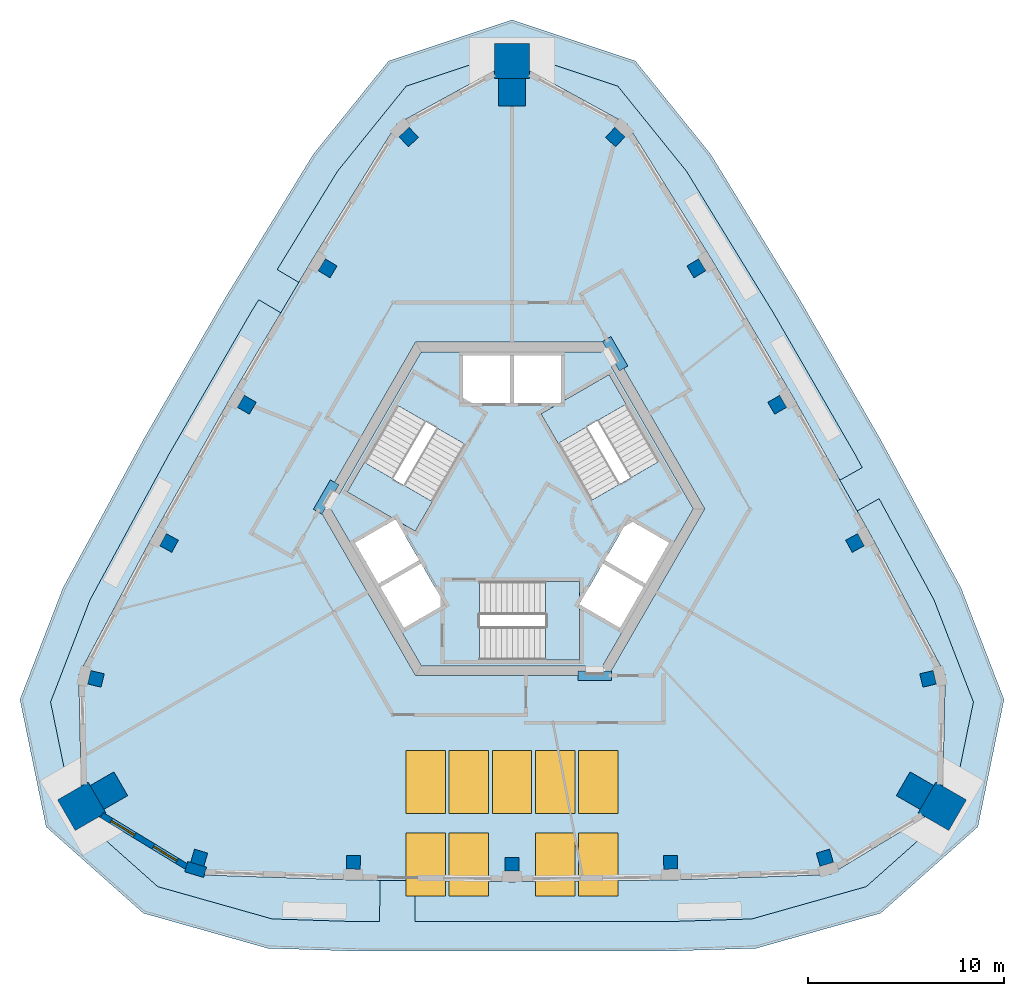
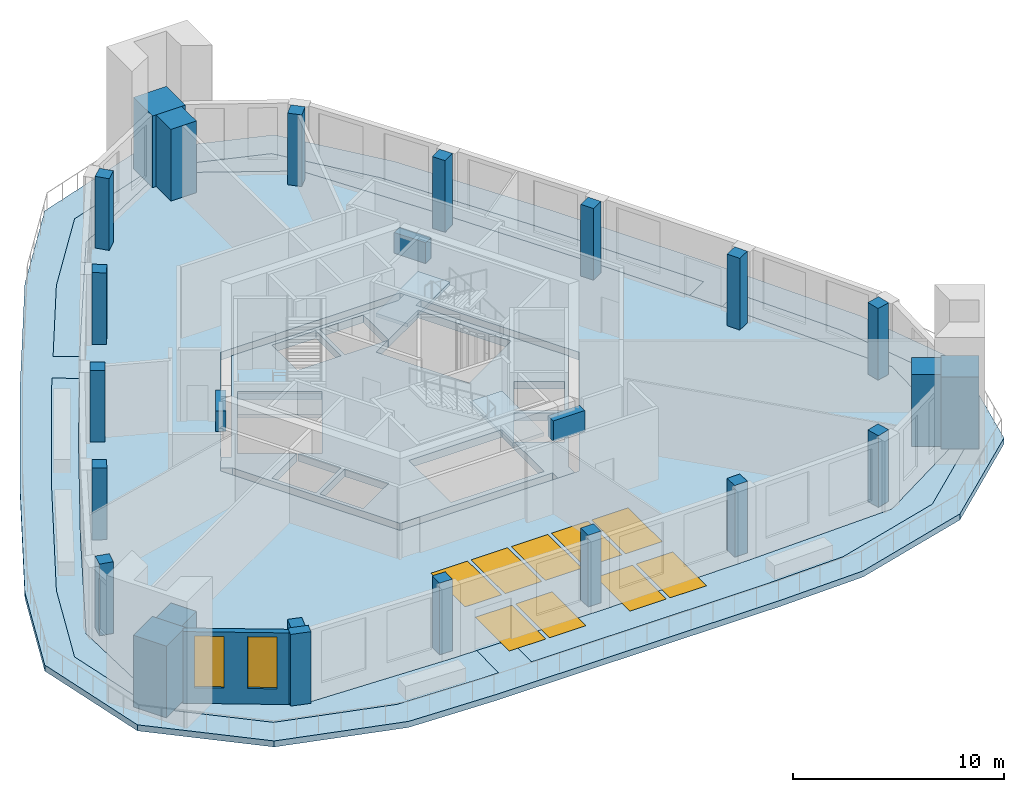
# One storey, part 1 of 9: 21 columns, 11 windows, 9 slabs, 3 beams, 2 walls, 11 openings, 3 elements without a shape of their own.
"""IFC4 building model written with IfcOpenShell, lengths in metres."""

from ifc_helpers import new_model, si_unit, direction, frame, frame_2d, origin, origin_2d, place, context, subcontext, project, spatial, polyline, rectangle, outline, extrude, material, layer, layer_set, material_profile, profile_set, type_object, element, fill, aggregate, save


model = new_model("IFC4")

# Units and contexts
model_context = context("Model", 3, precision=1e-05, world=origin(), true_north=direction((0.0, 1.0)))
body_context = subcontext(model_context, "Body", "Model", "MODEL_VIEW")
ifc_project = project(units=[si_unit("LENGTHUNIT", "METRE"), si_unit("AREAUNIT", "SQUARE_METRE"), si_unit("VOLUMEUNIT", "CUBIC_METRE"), si_unit("PLANEANGLEUNIT", "RADIAN"), si_unit("MASSUNIT", "GRAM", prefix="KILO")], contexts=[model_context])

# Site, building, storey
site_placement = place(None, origin())
site = spatial("IfcSite", under=ifc_project, at=site_placement, CompositionType="ELEMENT")
building_placement = place(site_placement, origin())
building = spatial("IfcBuilding", under=site, at=building_placement, Name="Entoto Arch Interchange Tower", CompositionType="ELEMENT")
storey_placement = place(building_placement, frame((0.0, 0.0, 331.39990234375)))
storey = spatial("IfcBuildingStorey", under=building, at=storey_placement, Name="L78", CompositionType="ELEMENT", Elevation=331.39990234375)

# Columns
ifc_material_1 = material(Name="Concrete C40/50", Category="concrete")
ifc_material_profile_1 = material_profile(ifc_material_1, rectangle(XDim=0.699951171875, YDim=0.699951171875, at=origin_2d()))
ifc_profile_set_1 = profile_set([ifc_material_profile_1], Name="Concrete C40/50")
column_type_1 = type_object("IfcColumnType", Name="Column RC 700x700 C40/50", PredefinedType="COLUMN", material=ifc_profile_set_1)
for number, where, z_axis, x_axis, name in (
    (1, (-15.93603515625, -15.27392578125, 0.0), (0.0, 0.0, 1.0), (-0.958287663895, 0.285805446462, 0.0), "Column S01 L78"),
    (2, (-8.076904296875, -15.509033203125, 0.0), (0.0, 0.0, 1.0), (-0.999748123039, 0.022443049695, 0.0), "Column S02 L78"),
    (3, (0.0, -15.60009765625, 0.0), (0.0, 0.0, 1.0), (1.0, 0.0, 0.0), "Column S03 L78"),
    (4, (8.076904296875, -15.509033203125, 0.0), (0.0, 0.0, 1.0), (0.999748123039, 0.022443049695, 0.0), "Column S04 L78"),
    (5, (15.93603515625, -15.27392578125, 0.0), (0.0, 0.0, 1.0), (0.958287663895, 0.285805446462, 0.0), "Column S05 L78"),
    (6, (21.195068359375, -6.1640625, 0.0), (0.0, 0.0, 1.0), (-0.2316120761, 0.972808226839, 0.0), "Column NE01 L78"),
    (7, (17.470947265625, 0.759033203125, 0.0), (0.0, 0.0, 1.0), (-0.480437810345, 0.877028796785, 0.0), "Column NE02 L78"),
    (8, (13.510009765625, 7.800048828125, 0.0), (0.0, 0.0, 1.0), (-0.5, 0.866025403784, 0.0), "Column NE03 L78"),
    (9, (9.39208984375, 14.7509765625, 0.0), (0.0, 0.0, 1.0), (-0.519310312694, 0.85458574709, 0.0), "Column NE04 L78"),
    (10, (5.260009765625, 21.43798828125, 0.0), (0.0, 0.0, 1.0), (-0.726658609123, 0.686998737835, 0.0), "Column NE05 L78"),
    (11, (-5.260009765625, 21.43798828125, 0.0), (0.0, 0.0, 1.0), (0.726658609123, 0.686998737835, 0.0), "Column NW01 L78"),
    (12, (-9.39208984375, 14.7509765625, 0.0), (0.0, 0.0, 1.0), (0.519310312694, 0.85458574709, 0.0), "Column NW02 L78"),
    (13, (-13.510009765625, 7.800048828125, 0.0), (0.0, 0.0, 1.0), (0.5, 0.866025403784, 0.0), "Column NW03 L78"),
    (14, (-17.470947265625, 0.759033203125, 0.0), (0.0, 0.0, 1.0), (0.480437810345, 0.877028796785, 0.0), "Column NW04 L78"),
    (15, (-21.195068359375, -6.1640625, 0.0), (0.0, 0.0, 1.0), (0.2316120761, 0.972808226839, 0.0), "Column NW05 L78"),
):
    element("IfcColumn", number, at=place(storey_placement, frame(where, z_axis=z_axis, x_axis=x_axis)), inside=storey, type_object=column_type_1, Name=name, PredefinedType="COLUMN", context=body_context, shape_type="SweptSolid", body=[
        extrude(rectangle(XDim=0.699951171875, YDim=0.699951171875, at=origin_2d()), origin(), (0.0, 0.0, 1.0), 4.150146484375),
    ])
ifc_material_2 = material(Name="Precast concrete C40/50", Category="concrete")
ifc_material_profile_2 = material_profile(ifc_material_2, rectangle(XDim=1.800048828125, YDim=1.800048828125, at=origin_2d()))
ifc_profile_set_2 = profile_set([ifc_material_profile_2], Name="Precast concrete C40/50")
column_type_2 = type_object("IfcColumnType", Name="Frame post RC 1800x1800 precast C40/50", PredefinedType="COLUMN", material=ifc_profile_set_2)
for number, where, z_axis, x_axis, name in (
    (16, (21.9208984375, -12.656005859375, 0.0), (0.0, 0.0, 1.0), (-0.866025403784, 0.5, 0.0), "Frame post SE L78"),
    (17, (0.0, 25.31201171875, 0.0), (0.0, 0.0, 1.0), (0.0, 1.0, 0.0), "Frame post N L78"),
    (18, (-21.9208984375, -12.656005859375, 0.0), (0.0, 0.0, 1.0), (0.866025403784, 0.5, 0.0), "Frame post SW L78"),
):
    element("IfcColumn", number, at=place(storey_placement, frame(where, z_axis=z_axis, x_axis=x_axis)), inside=storey, type_object=column_type_2, Name=name, PredefinedType="COLUMN", context=body_context, shape_type="SweptSolid", body=[
        extrude(rectangle(XDim=1.800048828125, YDim=1.800048828125, at=origin_2d()), origin(), (0.0, 0.0, 1.0), 4.150146484375),
    ])
ifc_material_profile_3 = material_profile(ifc_material_1, rectangle(XDim=1.39990234375, YDim=1.39990234375, at=origin_2d()))
ifc_profile_set_3 = profile_set([ifc_material_profile_3], Name="Concrete C40/50")
column_type_3 = type_object("IfcColumnType", Name="Mega column RC 1400x1400 C40/50", PredefinedType="COLUMN", material=ifc_profile_set_3)
for number, where, z_axis, x_axis, name in (
    (19, (20.534912109375, -11.85595703125, 0.0), (0.0, 0.0, 1.0), (-0.866025403784, 0.5, 0.0), "Corner mega column SE1 L78"),
    (20, (0.0, 23.7119140625, 0.0), (0.0, 0.0, 1.0), (0.0, 1.0, 0.0), "Corner mega column N1 L78"),
    (21, (-20.534912109375, -11.85595703125, 0.0), (0.0, 0.0, 1.0), (0.866025403784, 0.5, 0.0), "Corner mega column SW1 L78"),
):
    element("IfcColumn", number, at=place(storey_placement, frame(where, z_axis=z_axis, x_axis=x_axis)), inside=storey, type_object=column_type_3, Name=name, PredefinedType="COLUMN", context=body_context, shape_type="SweptSolid", body=[
        extrude(rectangle(XDim=1.39990234375, YDim=1.39990234375, at=origin_2d()), origin(), (0.0, 0.0, 1.0), 4.150146484375),
    ])

# Beams
ifc_material_profile_4 = material_profile(ifc_material_1, rectangle(XDim=0.5, YDim=1.199951171875, at=origin_2d()))
ifc_profile_set_4 = profile_set([ifc_material_profile_4], Name="Concrete C40/50")
beam_type = type_object("IfcBeamType", Name="Coupling beam RC 500x1200 C40/50", PredefinedType="BEAM", material=ifc_profile_set_4)
for number, where, z_axis, x_axis, name in (
    (22, (5.68603515625, 9.65087890625, 3.0), (-0.500105721196, 0.865964357019, 0.0), (-0.865964357019, -0.500105721196, 0.0), "Coupling beam NE L78"),
    (23, (-9.035888671875, 3.84912109375, 3.0), (-0.500105721196, -0.865964357019, 0.0), (0.865964357019, -0.500105721196, 0.0), "Coupling beam NW L78"),
):
    element("IfcBeam", number, at=place(storey_placement, frame(where, z_axis=z_axis, x_axis=x_axis)), inside=storey, type_object=beam_type, Name=name, PredefinedType="BEAM", context=body_context, shape_type="SweptSolid", body=[
        extrude(rectangle(XDim=0.5, YDim=1.199951171875, at=origin_2d()), origin(), (0.0, 0.0, 1.0), 1.727783203125),
    ])
beam_placement = place(storey_placement, frame((3.35009765625, -6.0, 3.0), z_axis=(1.0, 0.0, 0.0), x_axis=(0.0, 1.0, 0.0)))
element("IfcBeam", 24, at=beam_placement, inside=storey, type_object=beam_type, Name="Coupling beam S L78", PredefinedType="BEAM", context=body_context, shape_type="SweptSolid", body=[
    extrude(rectangle(XDim=0.5, YDim=1.199951171875, at=origin_2d()), origin(), (0.0, 0.0, 1.0), 1.725830078125),
])

# Slab
ifc_layer_1 = layer(ifc_material_1, 0.449951171875)
ifc_layer_set_1 = layer_set([ifc_layer_1], Name="Concrete C40/50")
slab_type_1 = type_object("IfcSlabType", Name="Core floor slab 450 C40/50", PredefinedType="FLOOR", material=ifc_layer_set_1)
slab_1_placement = place(storey_placement, frame((0.0, 0.0, -0.449951171875)))
element("IfcSlab", 25, at=slab_1_placement, inside=storey, type_object=slab_type_1, Name="Core floor slab L78", PredefinedType="FLOOR", context=body_context, shape_type="SweptSolid", body=[
    extrude(outline(polyline([(-9.208984375, 2.449951171875), (-9.222900390625, 2.425048828125), (-9.699951171875, 2.699951171875), (-9.236083984375, 3.501953125), (-8.802978515625, 3.2529296875), (-4.618896484375, 10.5), (4.56103515625, 10.5), (4.5458984375, 10.52490234375), (5.02197265625, 10.800048828125), (5.486083984375, 9.998046875), (5.052978515625, 9.748046875), (9.238037109375, 2.5), (4.64794921875, -5.449951171875), (4.676025390625, -5.449951171875), (4.676025390625, -6.0), (3.75, -6.0), (3.75, -5.5), (-4.618896484375, -5.5), (-9.208984375, 2.449951171875)]), holes=[polyline([(-1.64990234375, -5.199951171875), (3.449951171875, -5.199951171875), (3.449951171875, -2.3779296875), (5.5048828125, -3.56494140625), (6.705078125, -1.487060546875), (4.626953125, -0.287109375), (3.449951171875, -2.324951171875), (3.449951171875, -1.199951171875), (-1.64990234375, -1.199951171875), (-1.64990234375, -5.199951171875)]), polyline([(-4.626953125, -0.287109375), (-6.705078125, -1.487060546875), (-5.5048828125, -3.56494140625), (-3.427001953125, -2.364990234375), (-4.626953125, -0.287109375)]), polyline([(-5.904052734375, 1.925048828125), (-4.928955078125, 1.362060546875), (-2.37890625, 5.779052734375), (-5.843017578125, 7.779052734375), (-8.39306640625, 3.362060546875), (-5.949951171875, 1.951904296875), (-8.0048828125, 0.764892578125), (-6.804931640625, -1.31298828125), (-4.72705078125, -0.113037109375), (-5.904052734375, 1.925048828125)]), polyline([(4.72705078125, -0.113037109375), (6.804931640625, -1.31298828125), (8.0048828125, 0.764892578125), (5.927001953125, 1.965087890625), (4.72705078125, -0.113037109375)]), polyline([(2.5, 7.927001953125), (2.5, 10.300048828125), (0.10009765625, 10.300048828125), (0.10009765625, 7.89990234375), (2.452880859375, 7.89990234375), (1.47900390625, 7.337890625), (4.029052734375, 2.9208984375), (7.492919921875, 4.9208984375), (4.943115234375, 9.337890625), (2.5, 7.927001953125)]), polyline([(-2.5, 7.89990234375), (-0.10009765625, 7.89990234375), (-0.10009765625, 10.300048828125), (-2.5, 10.300048828125), (-2.5, 7.89990234375)])]), origin(), (0.0, 0.0, 1.0), 0.449951171875),
])

# Stair, slab
stair_type = type_object("IfcStairType", Name="EXIT STAIR RC 1700", PredefinedType="HALF_TURN_STAIR", material=ifc_material_1)
stair_1_placement = place(storey_placement, origin())
stair_1 = element("IfcStair", 26, at=stair_1_placement, inside=storey, type_object=stair_type, Name="L78 Exit stair S", PredefinedType="HALF_TURN_STAIR")
ifc_layer_2 = layer(ifc_material_1, 0.199951171875)
ifc_layer_set_2 = layer_set([ifc_layer_2], Name="Concrete C40/50")
slab_type_2 = type_object("IfcSlabType", Name="EXIT STAIR LANDING RC 200", PredefinedType="LANDING", material=ifc_layer_set_2)
slab_2_placement = place(storey_placement, frame((0.0, 0.0, 2.050048828125)))
slab_2 = element("IfcSlab", 27, at=slab_2_placement, type_object=slab_type_2, Name="ST-S landing 1", PredefinedType="LANDING", context=body_context, shape_type="SweptSolid", body=[
    extrude(outline(polyline([(1.7099609375, -5.199951171875), (3.449951171875, -5.199951171875), (3.449951171875, -1.199951171875), (1.7099609375, -1.199951171875), (1.7099609375, -5.199951171875)])), origin(), (0.0, 0.0, 1.0), 0.199951171875),
])
aggregate(stair_1, [slab_2])

stair_2_placement = place(storey_placement, origin())
stair_2 = element("IfcStair", 28, at=stair_2_placement, inside=storey, type_object=stair_type, Name="L78 Exit stair NE", PredefinedType="HALF_TURN_STAIR")
slab_3_placement = place(storey_placement, frame((0.0, 0.0, 2.050048828125)))
slab_3 = element("IfcSlab", 29, at=slab_3_placement, type_object=slab_type_2, Name="ST-NE landing 1", PredefinedType="LANDING", context=body_context, shape_type="SweptSolid", body=[
    extrude(outline(polyline([(5.8134765625, 7.830810546875), (4.943359375, 9.337890625), (1.479248046875, 7.337890625), (2.349365234375, 5.830810546875), (5.8134765625, 7.830810546875)])), origin(), (0.0, 0.0, 1.0), 0.199951171875),
])
aggregate(stair_2, [slab_3])

stair_3_placement = place(storey_placement, origin())
stair_3 = element("IfcStair", 30, at=stair_3_placement, inside=storey, type_object=stair_type, Name="L78 Exit stair NW", PredefinedType="HALF_TURN_STAIR")
slab_4_placement = place(storey_placement, frame((0.0, 0.0, 2.050048828125)))
slab_4 = element("IfcSlab", 31, at=slab_4_placement, type_object=slab_type_2, Name="ST-NW landing 1", PredefinedType="LANDING", context=body_context, shape_type="SweptSolid", body=[
    extrude(outline(polyline([(-7.5234375, 4.869140625), (-8.393310546875, 3.3623046875), (-4.92919921875, 1.3623046875), (-4.059326171875, 2.869140625), (-7.5234375, 4.869140625)])), origin(), (0.0, 0.0, 1.0), 0.199951171875),
])
aggregate(stair_3, [slab_4])

# Slab, openings, windows
ifc_layer_3 = layer(ifc_material_1, 0.449951171875)
ifc_layer_set_3 = layer_set([ifc_layer_3], Name="Concrete C40/50")
slab_type_3 = type_object("IfcSlabType", Name="Post-tensioned flat plate 450 C40/50", PredefinedType="FLOOR", material=ifc_layer_set_3)
slab_5_placement = place(storey_placement, frame((0.0, 0.0, -0.449951171875)))
slab_5 = element("IfcSlab", 32, at=slab_5_placement, inside=storey, type_object=slab_type_3, Name="Floor slab L78", PredefinedType="FLOOR", context=body_context, shape_type="SweptSolid", body=[
    extrude(outline(polyline([(-16.193115234375, -16.135986328125), (-8.096923828125, -16.408935546875), (0.0, -16.5), (8.096923828125, -16.408935546875), (16.193115234375, -16.135986328125), (21.9208984375, -12.656005859375), (22.071044921875, -5.9560546875), (18.260009765625, 1.19091796875), (14.2890625, 8.25), (10.160888671875, 15.218017578125), (5.8779296875, 22.092041015625), (0.0, 25.31201171875), (-5.8779296875, 22.092041015625), (-10.160888671875, 15.218017578125), (-14.2890625, 8.25), (-18.260009765625, 1.19091796875), (-22.071044921875, -5.9560546875), (-21.9208984375, -12.656005859375), (-16.193115234375, -16.135986328125)]), holes=[polyline([(4.906982421875, 11.0), (-4.906982421875, 11.0), (-9.81494140625, 2.5), (-4.906982421875, -6.0), (4.906982421875, -6.0), (9.81494140625, 2.5), (4.906982421875, 11.0)])]), origin(), (0.0, 0.0, 1.0), 0.449951171875),
])
opening_1_placement = place(slab_5_placement, frame((-4.39990234375, -15.625, 0.0)))
opening_1 = element("IfcOpeningElement", 33, at=opening_1_placement, cuts=slab_5, Name="Opening RS1", PredefinedType="OPENING", context=body_context, shape_type="SweptSolid", body=[
    extrude(rectangle(XDim=2.0, YDim=3.217041015625, at=origin_2d()), frame((0.0, 0.0, -0.010009765625)), (0.0, 0.0, 1.0), 0.469970703125),
])
opening_2_placement = place(slab_5_placement, frame((-2.199951171875, -15.625, 0.0)))
opening_2 = element("IfcOpeningElement", 34, at=opening_2_placement, cuts=slab_5, Name="Opening RS1", PredefinedType="OPENING", context=body_context, shape_type="SweptSolid", body=[
    extrude(rectangle(XDim=2.0, YDim=3.217041015625, at=origin_2d()), frame((0.0, 0.0, -0.010009765625)), (0.0, 0.0, 1.0), 0.469970703125),
])
opening_3_placement = place(slab_5_placement, frame((2.199951171875, -15.625, 0.0)))
opening_3 = element("IfcOpeningElement", 35, at=opening_3_placement, cuts=slab_5, Name="Opening RS1", PredefinedType="OPENING", context=body_context, shape_type="SweptSolid", body=[
    extrude(rectangle(XDim=2.0, YDim=3.217041015625, at=origin_2d()), frame((0.0, 0.0, -0.010009765625)), (0.0, 0.0, 1.0), 0.469970703125),
])
opening_4_placement = place(slab_5_placement, frame((4.39990234375, -15.625, 0.0)))
opening_4 = element("IfcOpeningElement", 36, at=opening_4_placement, cuts=slab_5, Name="Opening RS1", PredefinedType="OPENING", context=body_context, shape_type="SweptSolid", body=[
    extrude(rectangle(XDim=2.0, YDim=3.217041015625, at=origin_2d()), frame((0.0, 0.0, -0.010009765625)), (0.0, 0.0, 1.0), 0.469970703125),
])
opening_5_placement = place(slab_5_placement, frame((-4.39990234375, -11.408935546875, 0.0)))
opening_5 = element("IfcOpeningElement", 37, at=opening_5_placement, cuts=slab_5, Name="Opening RS1", PredefinedType="OPENING", context=body_context, shape_type="SweptSolid", body=[
    extrude(rectangle(XDim=2.0, YDim=3.217041015625, at=origin_2d()), frame((0.0, 0.0, -0.010009765625)), (0.0, 0.0, 1.0), 0.469970703125),
])
opening_6_placement = place(slab_5_placement, frame((-2.199951171875, -11.408935546875, 0.0)))
opening_6 = element("IfcOpeningElement", 38, at=opening_6_placement, cuts=slab_5, Name="Opening RS1", PredefinedType="OPENING", context=body_context, shape_type="SweptSolid", body=[
    extrude(rectangle(XDim=2.0, YDim=3.217041015625, at=origin_2d()), frame((0.0, 0.0, -0.010009765625)), (0.0, 0.0, 1.0), 0.469970703125),
])
opening_7_placement = place(slab_5_placement, frame((0.0, -11.408935546875, 0.0)))
opening_7 = element("IfcOpeningElement", 39, at=opening_7_placement, cuts=slab_5, Name="Opening RS1", PredefinedType="OPENING", context=body_context, shape_type="SweptSolid", body=[
    extrude(rectangle(XDim=2.0, YDim=3.217041015625, at=origin_2d()), frame((0.0, 0.0, -0.010009765625)), (0.0, 0.0, 1.0), 0.469970703125),
])
opening_8_placement = place(slab_5_placement, frame((2.199951171875, -11.408935546875, 0.0)))
opening_8 = element("IfcOpeningElement", 40, at=opening_8_placement, cuts=slab_5, Name="Opening RS1", PredefinedType="OPENING", context=body_context, shape_type="SweptSolid", body=[
    extrude(rectangle(XDim=2.0, YDim=3.217041015625, at=origin_2d()), frame((0.0, 0.0, -0.010009765625)), (0.0, 0.0, 1.0), 0.469970703125),
])
opening_9_placement = place(slab_5_placement, frame((4.39990234375, -11.408935546875, 0.0)))
opening_9 = element("IfcOpeningElement", 41, at=opening_9_placement, cuts=slab_5, Name="Opening RS1", PredefinedType="OPENING", context=body_context, shape_type="SweptSolid", body=[
    extrude(rectangle(XDim=2.0, YDim=3.217041015625, at=origin_2d()), frame((0.0, 0.0, -0.010009765625)), (0.0, 0.0, 1.0), 0.469970703125),
])
ifc_material_3 = material(Name="Clear glass, low-e double glazed", Category="glass")
window_type_1 = type_object("IfcWindowType", Name="ROOFLIGHT 2000 SKYLIGHT", PartitioningType="SINGLE_PANEL", PredefinedType="SKYLIGHT", material=ifc_material_3)
window_1_placement = place(opening_1_placement, frame((0.0, 0.0, 0.39990234375)))
window_1 = element("IfcWindow", 42, at=window_1_placement, inside=storey, type_object=window_type_1, Name="Rooflight RS1", OverallHeight=3.217041015625, OverallWidth=2.0, PartitioningType="SINGLE_PANEL", PredefinedType="SKYLIGHT", context=body_context, shape_type="SweptSolid", body=[
    extrude(rectangle(XDim=2.0, YDim=3.217041015625, at=origin_2d()), origin(), (0.0, 0.0, 1.0), 0.050048828125),
])
fill(opening_1, window_1)
window_2_placement = place(opening_2_placement, frame((0.0, 0.0, 0.39990234375)))
window_2 = element("IfcWindow", 43, at=window_2_placement, inside=storey, type_object=window_type_1, Name="Rooflight RS2", OverallHeight=3.217041015625, OverallWidth=2.0, PartitioningType="SINGLE_PANEL", PredefinedType="SKYLIGHT", context=body_context, shape_type="SweptSolid", body=[
    extrude(rectangle(XDim=2.0, YDim=3.217041015625, at=origin_2d()), origin(), (0.0, 0.0, 1.0), 0.050048828125),
])
fill(opening_2, window_2)
window_3_placement = place(opening_3_placement, frame((0.0, 0.0, 0.39990234375)))
window_3 = element("IfcWindow", 44, at=window_3_placement, inside=storey, type_object=window_type_1, Name="Rooflight RS4", OverallHeight=3.217041015625, OverallWidth=2.0, PartitioningType="SINGLE_PANEL", PredefinedType="SKYLIGHT", context=body_context, shape_type="SweptSolid", body=[
    extrude(rectangle(XDim=2.0, YDim=3.217041015625, at=origin_2d()), origin(), (0.0, 0.0, 1.0), 0.050048828125),
])
fill(opening_3, window_3)
window_4_placement = place(opening_4_placement, frame((0.0, 0.0, 0.39990234375)))
window_4 = element("IfcWindow", 45, at=window_4_placement, inside=storey, type_object=window_type_1, Name="Rooflight RS5", OverallHeight=3.217041015625, OverallWidth=2.0, PartitioningType="SINGLE_PANEL", PredefinedType="SKYLIGHT", context=body_context, shape_type="SweptSolid", body=[
    extrude(rectangle(XDim=2.0, YDim=3.217041015625, at=origin_2d()), origin(), (0.0, 0.0, 1.0), 0.050048828125),
])
fill(opening_4, window_4)
window_5_placement = place(opening_5_placement, frame((0.0, 0.0, 0.39990234375)))
window_5 = element("IfcWindow", 46, at=window_5_placement, inside=storey, type_object=window_type_1, Name="Rooflight RS6", OverallHeight=3.217041015625, OverallWidth=2.0, PartitioningType="SINGLE_PANEL", PredefinedType="SKYLIGHT", context=body_context, shape_type="SweptSolid", body=[
    extrude(rectangle(XDim=2.0, YDim=3.217041015625, at=origin_2d()), origin(), (0.0, 0.0, 1.0), 0.050048828125),
])
fill(opening_5, window_5)
window_6_placement = place(opening_6_placement, frame((0.0, 0.0, 0.39990234375)))
window_6 = element("IfcWindow", 47, at=window_6_placement, inside=storey, type_object=window_type_1, Name="Rooflight RS7", OverallHeight=3.217041015625, OverallWidth=2.0, PartitioningType="SINGLE_PANEL", PredefinedType="SKYLIGHT", context=body_context, shape_type="SweptSolid", body=[
    extrude(rectangle(XDim=2.0, YDim=3.217041015625, at=origin_2d()), origin(), (0.0, 0.0, 1.0), 0.050048828125),
])
fill(opening_6, window_6)
window_7_placement = place(opening_7_placement, frame((0.0, 0.0, 0.39990234375)))
window_7 = element("IfcWindow", 48, at=window_7_placement, inside=storey, type_object=window_type_1, Name="Rooflight RS8", OverallHeight=3.217041015625, OverallWidth=2.0, PartitioningType="SINGLE_PANEL", PredefinedType="SKYLIGHT", context=body_context, shape_type="SweptSolid", body=[
    extrude(rectangle(XDim=2.0, YDim=3.217041015625, at=origin_2d()), origin(), (0.0, 0.0, 1.0), 0.050048828125),
])
fill(opening_7, window_7)
window_8_placement = place(opening_8_placement, frame((0.0, 0.0, 0.39990234375)))
window_8 = element("IfcWindow", 49, at=window_8_placement, inside=storey, type_object=window_type_1, Name="Rooflight RS9", OverallHeight=3.217041015625, OverallWidth=2.0, PartitioningType="SINGLE_PANEL", PredefinedType="SKYLIGHT", context=body_context, shape_type="SweptSolid", body=[
    extrude(rectangle(XDim=2.0, YDim=3.217041015625, at=origin_2d()), origin(), (0.0, 0.0, 1.0), 0.050048828125),
])
fill(opening_8, window_8)
window_9_placement = place(opening_9_placement, frame((0.0, 0.0, 0.39990234375)))
window_9 = element("IfcWindow", 50, at=window_9_placement, inside=storey, type_object=window_type_1, Name="Rooflight RS10", OverallHeight=3.217041015625, OverallWidth=2.0, PartitioningType="SINGLE_PANEL", PredefinedType="SKYLIGHT", context=body_context, shape_type="SweptSolid", body=[
    extrude(rectangle(XDim=2.0, YDim=3.217041015625, at=origin_2d()), origin(), (0.0, 0.0, 1.0), 0.050048828125),
])
fill(opening_9, window_9)

# Slabs
ifc_material_4 = material(Name="Board-marked precast concrete C50/60", Category="concrete")
ifc_layer_4 = layer(ifc_material_4, 0.35009765625)
ifc_layer_set_4 = layer_set([ifc_layer_4], Name="Board-marked precast concrete C50/60")
slab_type_4 = type_object("IfcSlabType", Name="TERRACE PLANTER BED SLAB 350", PredefinedType="ROOF", material=ifc_layer_set_4)
slab_6_placement = place(storey_placement, frame((0.0, 0.0, -0.349853515625)))
element("IfcSlab", 51, at=slab_6_placement, inside=storey, type_object=slab_type_4, Name="Crown planter bed slab L78", PredefinedType="ROOF", context=body_context, shape_type="SweptSolid", body=[
    extrude(outline(polyline([(-6.74609375, -18.533935546875), (-7.77587890625, -18.533935546875), (-12.217041015625, -18.39306640625), (-18.04296875, -16.748046875), (-22.362060546875, -12.910888671875), (-23.506103515625, -7.344970703125), (-21.5048828125, -2.155029296875), (-17.470947265625, 5.282958984375), (-13.31103515625, 12.489013671875), (-12.904052734375, 13.152099609375), (-11.779052734375, 12.486083984375), (-14.2890625, 8.25), (-18.260009765625, 1.19091796875), (-22.071044921875, -5.9560546875), (-21.9208984375, -12.656005859375), (-16.193115234375, -16.135986328125), (-8.096923828125, -16.408935546875), (-6.722900390625, -16.424072265625), (-6.74609375, -18.533935546875)])), origin(), (0.0, 0.0, 1.0), 0.349853515625),
])
slab_7_placement = place(storey_placement, frame((0.0, 0.0, -0.349853515625)))
element("IfcSlab", 52, at=slab_7_placement, inside=storey, type_object=slab_type_4, Name="Crown planter bed slab L78", PredefinedType="ROOF", context=body_context, shape_type="SweptSolid", body=[
    extrude(outline(polyline([(8.096923828125, -16.408935546875), (16.193115234375, -16.135986328125), (21.9208984375, -12.656005859375), (22.071044921875, -5.9560546875), (18.260009765625, 1.19091796875), (17.5859375, 2.388916015625), (18.700927734375, 3.01611328125), (21.5048828125, -2.155029296875), (23.506103515625, -7.344970703125), (22.362060546875, -12.910888671875), (18.04296875, -16.748046875), (12.217041015625, -18.39306640625), (7.77587890625, -18.533935546875), (-4.946044921875, -18.533935546875), (-4.923095703125, -16.445068359375), (0.0, -16.5), (8.096923828125, -16.408935546875)])), origin(), (0.0, 0.0, 1.0), 0.349853515625),
])
slab_8_placement = place(storey_placement, frame((0.0, 0.0, -0.349853515625)))
element("IfcSlab", 53, at=slab_8_placement, inside=storey, type_object=slab_type_4, Name="Crown planter bed slab L78", PredefinedType="ROOF", context=body_context, shape_type="SweptSolid", body=[
    extrude(outline(polyline([(10.160888671875, 15.218017578125), (5.8779296875, 22.092041015625), (0.0, 25.31201171875), (-5.8779296875, 22.092041015625), (-10.160888671875, 15.218017578125), (-10.862060546875, 14.034912109375), (-11.962890625, 14.68701171875), (-8.886962890625, 19.700927734375), (-5.39208984375, 24.029052734375), (0.0, 25.821044921875), (5.39208984375, 24.029052734375), (8.886962890625, 19.700927734375), (13.31103515625, 12.489013671875), (17.470947265625, 5.282958984375), (17.842041015625, 4.59912109375), (16.702880859375, 3.9580078125), (14.2890625, 8.25), (10.160888671875, 15.218017578125)])), origin(), (0.0, 0.0, 1.0), 0.349853515625),
])
ifc_layer_5 = layer(ifc_material_4, 0.35009765625)
ifc_layer_set_5 = layer_set([ifc_layer_5], Name="Board-marked precast concrete C50/60")
slab_type_5 = type_object("IfcSlabType", Name="TERRACE SLAB 350", PredefinedType="FLOOR", material=ifc_layer_set_5)
slab_9_placement = place(storey_placement, frame((0.0, 0.0, -0.349853515625)))
element("IfcSlab", 54, at=slab_9_placement, inside=storey, type_object=slab_type_5, Name="Crown terrace slab L78", PredefinedType="FLOOR", context=body_context, shape_type="SweptSolid", body=[
    extrude(outline(polyline([(-25.06396484375, -7.216064453125), (-22.8701171875, -1.52490234375), (-18.780029296875, 6.01611328125), (-14.60009765625, 13.256103515625), (-14.195068359375, 13.9169921875), (-13.2529296875, 15.450927734375), (-10.114990234375, 20.568115234375), (-6.282958984375, 25.31396484375), (0.0, 27.402099609375), (6.282958984375, 25.31396484375), (10.114990234375, 20.568115234375), (14.60009765625, 13.256103515625), (18.780029296875, 6.01611328125), (19.14990234375, 5.333984375), (20.008056640625, 3.751953125), (22.8701171875, -1.52490234375), (25.06396484375, -7.216064453125), (23.73095703125, -13.700927734375), (18.781982421875, -18.097900390625), (12.447998046875, -19.885986328125), (7.800048828125, -20.033935546875), (-4.962890625, -20.033935546875), (-6.762939453125, -20.033935546875), (-7.800048828125, -20.033935546875), (-12.447998046875, -19.885986328125), (-18.781982421875, -18.097900390625), (-23.73095703125, -13.700927734375), (-25.06396484375, -7.216064453125)]), holes=[polyline([(-4.946044921875, -18.533935546875), (7.77587890625, -18.533935546875), (12.217041015625, -18.39306640625), (18.04296875, -16.748046875), (22.362060546875, -12.910888671875), (23.506103515625, -7.344970703125), (21.5048828125, -2.155029296875), (18.700927734375, 3.01611328125), (17.5859375, 2.388916015625), (16.702880859375, 3.9580078125), (17.842041015625, 4.59912109375), (17.470947265625, 5.282958984375), (13.31103515625, 12.489013671875), (8.886962890625, 19.700927734375), (5.39208984375, 24.029052734375), (0.0, 25.821044921875), (-5.39208984375, 24.029052734375), (-8.886962890625, 19.700927734375), (-11.962890625, 14.68701171875), (-10.862060546875, 14.034912109375), (-11.779052734375, 12.486083984375), (-12.904052734375, 13.152099609375), (-13.31103515625, 12.489013671875), (-17.470947265625, 5.282958984375), (-21.5048828125, -2.155029296875), (-23.506103515625, -7.344970703125), (-22.362060546875, -12.910888671875), (-18.04296875, -16.748046875), (-12.217041015625, -18.39306640625), (-7.77587890625, -18.533935546875), (-6.74609375, -18.533935546875), (-6.722900390625, -16.424072265625), (-4.923095703125, -16.445068359375), (-4.946044921875, -18.533935546875)])]), origin(), (0.0, 0.0, 1.0), 0.349853515625),
])

# Wall, openings, windows
ifc_material_5 = material(Name="Welded tuff (ignimbrite) cladding, warm buff", Category="masonry")
ifc_layer_6 = layer(ifc_material_5, 0.300048828125)
ifc_layer_set_6 = layer_set([ifc_layer_6], Name="Welded tuff (ignimbrite) cladding, warm buff")
wall_type_1 = type_object("IfcWallType", Name="STONE INFILL WALL 300", PredefinedType="STANDARD", material=ifc_layer_set_6)
wall_1_placement = place(storey_placement, frame((-20.89697265625, -13.10302734375, 0.0), z_axis=(0.0, 0.0, 1.0), x_axis=(0.854607095238, -0.519275180197, 0.0)))
wall_1 = element("IfcWall", 55, at=wall_1_placement, inside=storey, type_object=wall_type_1, Name="Facade wall SW-02 L78", PredefinedType="STANDARD", context=body_context, shape_type="SweptSolid", body=[
    extrude(rectangle(XDim=5.03955078125, YDim=0.300048828125, at=frame_2d((2.519775390625, 0.0))), origin(), (0.0, 0.0, 1.0), 4.150146484375),
])
opening_10_placement = place(wall_1_placement, frame((0.56005859375, 0.0, 0.89990234375)))
opening_10 = element("IfcOpeningElement", 56, at=opening_10_placement, cuts=wall_1, Name="Opening WK-B", PredefinedType="OPENING", context=body_context, shape_type="SweptSolid", body=[
    extrude(rectangle(XDim=1.39990234375, YDim=3.0, at=frame_2d((0.699951171875, 1.5))), frame((0.0, 0.16015625, 0.0), z_axis=(0.0, -1.0, 0.0), x_axis=(1.0, 0.0, 0.0)), (0.0, 0.0, 1.0), 0.320068359375),
])
opening_11_placement = place(wall_1_placement, frame((3.080078125, 0.0, 0.89990234375)))
opening_11 = element("IfcOpeningElement", 57, at=opening_11_placement, cuts=wall_1, Name="Opening WK-B", PredefinedType="OPENING", context=body_context, shape_type="SweptSolid", body=[
    extrude(rectangle(XDim=1.39990234375, YDim=3.0, at=frame_2d((0.699951171875, 1.5))), frame((0.0, 0.16015625, 0.0), z_axis=(0.0, -1.0, 0.0), x_axis=(1.0, 0.0, 0.0)), (0.0, 0.0, 1.0), 0.320068359375),
])
window_type_2 = type_object("IfcWindowType", Name="WINDOW WK-B 1400x3000", PartitioningType="DOUBLE_PANEL_VERTICAL", PredefinedType="WINDOW", material=ifc_material_3)
window_10_placement = place(opening_10_placement, origin())
window_10 = element("IfcWindow", 58, at=window_10_placement, inside=storey, type_object=window_type_2, Name="Window WK-B SW-02 L78", OverallHeight=3.0, OverallWidth=1.39990234375, PartitioningType="SINGLE_PANEL", PredefinedType="WINDOW", context=body_context, shape_type="SweptSolid", body=[
    extrude(rectangle(XDim=1.39990234375, YDim=3.0, at=frame_2d((0.699951171875, 1.5))), frame((0.0, 0.030029296875, 0.0), z_axis=(0.0, -1.0, 0.0), x_axis=(1.0, 0.0, 0.0)), (0.0, 0.0, 1.0), 0.06005859375),
])
fill(opening_10, window_10)
window_11_placement = place(opening_11_placement, origin())
window_11 = element("IfcWindow", 59, at=window_11_placement, inside=storey, type_object=window_type_2, Name="Window WK-B SW-02 L78", OverallHeight=3.0, OverallWidth=1.39990234375, PartitioningType="SINGLE_PANEL", PredefinedType="WINDOW", context=body_context, shape_type="SweptSolid", body=[
    extrude(rectangle(XDim=1.39990234375, YDim=3.0, at=frame_2d((0.699951171875, 1.5))), frame((0.0, 0.030029296875, 0.0), z_axis=(0.0, -1.0, 0.0), x_axis=(1.0, 0.0, 0.0)), (0.0, 0.0, 1.0), 0.06005859375),
])
fill(opening_11, window_11)

# Wall
ifc_layer_7 = layer(ifc_material_5, 0.550048828125)
ifc_layer_set_7 = layer_set([ifc_layer_7], Name="Welded tuff (ignimbrite) cladding, warm buff")
wall_type_2 = type_object("IfcWallType", Name="STONE PIER CLADDING 550", PredefinedType="STANDARD", material=ifc_layer_set_7)
wall_2_placement = place(storey_placement, frame((-16.593994140625, -15.72998046875, 0.0), z_axis=(0.0, 0.0, 1.0), x_axis=(0.958588587629, -0.284794521834, 0.0)))
element("IfcWall", 60, at=wall_2_placement, inside=storey, type_object=wall_type_2, Name="Stone pier S01 L78", PredefinedType="STANDARD", context=body_context, shape_type="SweptSolid", body=[
    extrude(rectangle(XDim=1.00048828125, YDim=0.550048828125, at=frame_2d((0.500244140625, 0.0))), origin(), (0.0, 0.0, 1.0), 4.150146484375),
])

save(model, "model.ifc")
